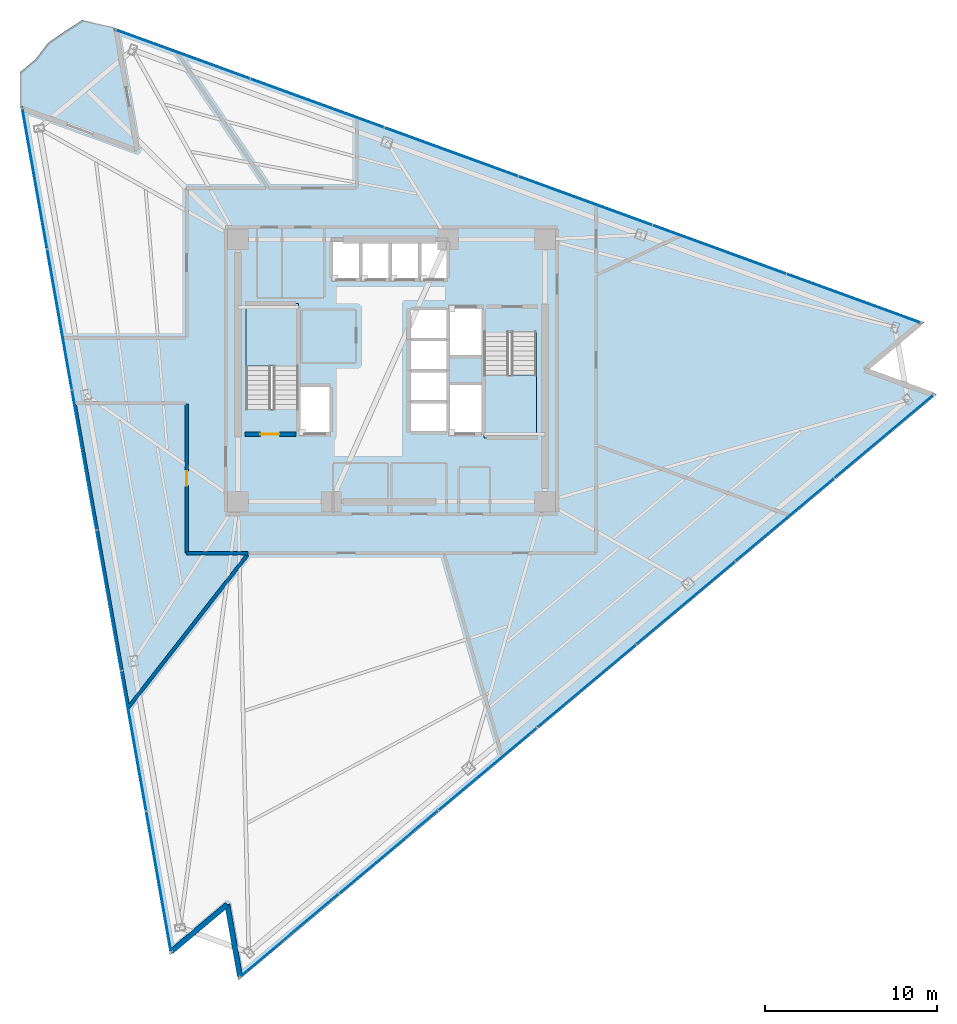
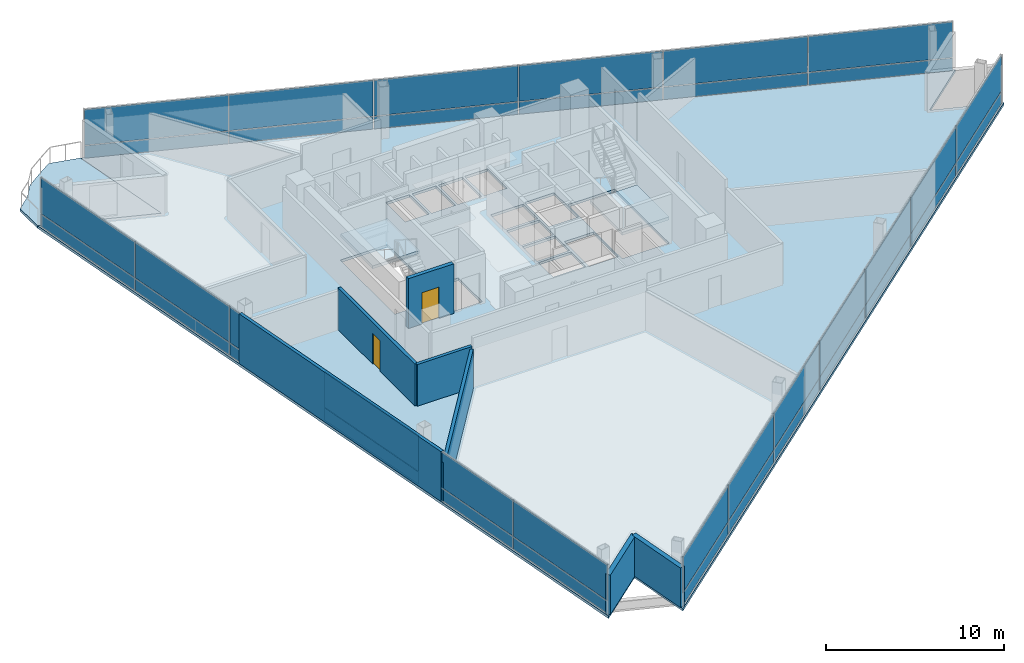
# One storey, part 9 of 16: 38 plates, 7 walls, 4 slabs, 2 doors, 2 openings, 5 elements without a shape of their own.
"""IFC4 building model written with IfcOpenShell, lengths in metres."""

from ifc_helpers import new_model, si_unit, direction, frame, frame_2d, origin, origin_2d, place, context, subcontext, project, spatial, polyline, rectangle, outline, extrude, material, layer, layer_set, type_object, element, fill, aggregate, save


model = new_model("IFC4")

# Units and contexts
model_context = context("Model", 3, precision=1e-05, world=origin(), true_north=direction((0.0, 1.0)))
body_context = subcontext(model_context, "Body", "Model", "MODEL_VIEW")
ifc_project = project(units=[si_unit("LENGTHUNIT", "METRE"), si_unit("AREAUNIT", "SQUARE_METRE"), si_unit("VOLUMEUNIT", "CUBIC_METRE"), si_unit("PLANEANGLEUNIT", "RADIAN"), si_unit("MASSUNIT", "GRAM", prefix="KILO")], contexts=[model_context])

# Site, building, storey
site_placement = place(None, origin())
site = spatial("IfcSite", under=ifc_project, at=site_placement, CompositionType="ELEMENT")
building_placement = place(site_placement, origin())
building = spatial("IfcBuilding", under=site, at=building_placement, Name="Tharavind Bronze Gate", CompositionType="ELEMENT")
storey_placement = place(building_placement, frame((0.0, 0.0, 188.5)))
storey = spatial("IfcBuildingStorey", under=building, at=storey_placement, Name="L48", CompositionType="ELEMENT", Elevation=188.5)

# Curtain wall, plates
ifc_material_1 = material(Name="Anodised Bronze Aluminium", Category="aluminium")
ifc_layer_1 = layer(ifc_material_1, 0.219970703125)
ifc_layer_set_1 = layer_set([ifc_layer_1], Name="Anodised Bronze Aluminium")
curtain_wall_type = type_object("IfcCurtainWallType", Name="UNITISED CURTAIN WALL MID OFFICE", PredefinedType="USERDEFINED", material=ifc_layer_set_1)
curtain_wall_1_placement = place(storey_placement, origin())
curtain_wall_1 = element("IfcCurtainWall", 1, at=curtain_wall_1_placement, inside=storey, type_object=curtain_wall_type, Name="L48 unitised curtain wall mid office CW-L48-S1", ObjectType="UNITISED CURTAIN WALL", PredefinedType="USERDEFINED")
ifc_material_2 = material(Name="Patinated Bronze Alloy Sheet", Category="bronze")
ifc_layer_2 = layer(ifc_material_2, 0.01611328125)
ifc_layer_set_2 = layer_set([ifc_layer_2], Name="Patinated Bronze Alloy Sheet")
plate_type_1 = type_object("IfcPlateType", Name="BRONZE SPANDREL CLADDING PANEL 16", PredefinedType="CURTAIN_PANEL", material=ifc_layer_set_2)
plate_1_placement = place(storey_placement, frame((-20.678466796875, 11.118408203125, 0.0263671875), z_axis=(0.0, 0.0, 1.0), x_axis=(0.173648177667, -0.984807753012, 0.0)))
plate_1 = element("IfcPlate", 2, at=plate_1_placement, type_object=plate_type_1, Name="CW-L48-S1 bronze spandrel panel 1", PredefinedType="CURTAIN_PANEL", context=body_context, shape_type="SweptSolid", body=[
    extrude(rectangle(XDim=8.220458984375, YDim=0.01611328125, at=origin_2d()), origin(), (0.0, 0.0, 1.0), 0.846923828125),
])
plate_2_placement = place(storey_placement, frame((-19.24169921875, 2.970703125, 0.0263671875), z_axis=(0.0, 0.0, 1.0), x_axis=(0.173648177667, -0.984807753012, 0.0)))
plate_2 = element("IfcPlate", 3, at=plate_2_placement, type_object=plate_type_1, Name="CW-L48-S1 bronze spandrel panel 2", PredefinedType="CURTAIN_PANEL", context=body_context, shape_type="SweptSolid", body=[
    extrude(rectangle(XDim=8.220458984375, YDim=0.01611328125, at=origin_2d()), origin(), (0.0, 0.0, 1.0), 0.846923828125),
])
plate_3_placement = place(storey_placement, frame((-17.80517578125, -5.177001953125, 0.0263671875), z_axis=(0.0, 0.0, 1.0), x_axis=(0.173648177667, -0.984807753012, 0.0)))
plate_3 = element("IfcPlate", 4, at=plate_3_placement, type_object=plate_type_1, Name="CW-L48-S1 bronze spandrel panel 3", PredefinedType="CURTAIN_PANEL", context=body_context, shape_type="SweptSolid", body=[
    extrude(rectangle(XDim=8.220458984375, YDim=0.01611328125, at=origin_2d()), origin(), (0.0, 0.0, 1.0), 0.846923828125),
])
plate_4_placement = place(storey_placement, frame((-16.368408203125, -13.32470703125, 0.0263671875), z_axis=(0.0, 0.0, 1.0), x_axis=(0.173648177667, -0.984807753012, 0.0)))
plate_4 = element("IfcPlate", 5, at=plate_4_placement, type_object=plate_type_1, Name="CW-L48-S1 bronze spandrel panel 4", PredefinedType="CURTAIN_PANEL", context=body_context, shape_type="SweptSolid", body=[
    extrude(rectangle(XDim=8.220458984375, YDim=0.01611328125, at=origin_2d()), origin(), (0.0, 0.0, 1.0), 0.846923828125),
])
plate_5_placement = place(storey_placement, frame((-14.931884765625, -21.472412109375, 0.0263671875), z_axis=(0.0, 0.0, 1.0), x_axis=(0.173648177667, -0.984807753012, 0.0)))
plate_5 = element("IfcPlate", 6, at=plate_5_placement, type_object=plate_type_1, Name="CW-L48-S1 bronze spandrel panel 5", PredefinedType="CURTAIN_PANEL", context=body_context, shape_type="SweptSolid", body=[
    extrude(rectangle(XDim=8.220458984375, YDim=0.01611328125, at=origin_2d()), origin(), (0.0, 0.0, 1.0), 0.846923828125),
])
plate_6_placement = place(storey_placement, frame((-13.4951171875, -29.6201171875, 0.0263671875), z_axis=(0.0, 0.0, 1.0), x_axis=(0.173648177667, -0.984807753012, 0.0)))
plate_6 = element("IfcPlate", 7, at=plate_6_placement, type_object=plate_type_1, Name="CW-L48-S1 bronze spandrel panel 6", PredefinedType="CURTAIN_PANEL", context=body_context, shape_type="SweptSolid", body=[
    extrude(rectangle(XDim=8.220458984375, YDim=0.01611328125, at=origin_2d()), origin(), (0.0, 0.0, 1.0), 0.846923828125),
])

curtain_wall_2_placement = place(storey_placement, origin())
curtain_wall_2 = element("IfcCurtainWall", 8, at=curtain_wall_2_placement, inside=storey, type_object=curtain_wall_type, Name="L48 unitised curtain wall mid office CW-L48-S2", ObjectType="UNITISED CURTAIN WALL", PredefinedType="USERDEFINED")
plate_7_placement = place(storey_placement, frame((-5.913818359375, -32.737548828125, 0.0263671875), z_axis=(0.0, 0.0, 1.0), x_axis=(0.766043321242, 0.642788946685, 0.0)))
plate_7 = element("IfcPlate", 9, at=plate_7_placement, type_object=plate_type_1, Name="CW-L48-S2 bronze spandrel panel 1", PredefinedType="CURTAIN_PANEL", context=body_context, shape_type="SweptSolid", body=[
    extrude(rectangle(XDim=7.443115234375, YDim=0.01611328125, at=origin_2d()), origin(), (0.0, 0.0, 1.0), 0.846923828125),
])
plate_8_placement = place(storey_placement, frame((-0.171630859375, -27.919189453125, 0.0263671875), z_axis=(0.0, 0.0, 1.0), x_axis=(0.766043321242, 0.642788946685, 0.0)))
plate_8 = element("IfcPlate", 10, at=plate_8_placement, type_object=plate_type_1, Name="CW-L48-S2 bronze spandrel panel 2", PredefinedType="CURTAIN_PANEL", context=body_context, shape_type="SweptSolid", body=[
    extrude(rectangle(XDim=7.443115234375, YDim=0.01611328125, at=origin_2d()), origin(), (0.0, 0.0, 1.0), 0.846923828125),
])
plate_9_placement = place(storey_placement, frame((5.57080078125, -23.100830078125, 0.0263671875), z_axis=(0.0, 0.0, 1.0), x_axis=(0.766043321242, 0.642788946685, 0.0)))
plate_9 = element("IfcPlate", 11, at=plate_9_placement, type_object=plate_type_1, Name="CW-L48-S2 bronze spandrel panel 3", PredefinedType="CURTAIN_PANEL", context=body_context, shape_type="SweptSolid", body=[
    extrude(rectangle(XDim=7.443115234375, YDim=0.01611328125, at=origin_2d()), origin(), (0.0, 0.0, 1.0), 0.846923828125),
])
plate_10_placement = place(storey_placement, frame((11.31298828125, -18.282470703125, 0.0263671875), z_axis=(0.0, 0.0, 1.0), x_axis=(0.766043321242, 0.642788946685, 0.0)))
plate_10 = element("IfcPlate", 12, at=plate_10_placement, type_object=plate_type_1, Name="CW-L48-S2 bronze spandrel panel 4", PredefinedType="CURTAIN_PANEL", context=body_context, shape_type="SweptSolid", body=[
    extrude(rectangle(XDim=7.443115234375, YDim=0.01611328125, at=origin_2d()), origin(), (0.0, 0.0, 1.0), 0.846923828125),
])
plate_11_placement = place(storey_placement, frame((17.055419921875, -13.464111328125, 0.0263671875), z_axis=(0.0, 0.0, 1.0), x_axis=(0.766043321242, 0.642788946685, 0.0)))
plate_11 = element("IfcPlate", 13, at=plate_11_placement, type_object=plate_type_1, Name="CW-L48-S2 bronze spandrel panel 5", PredefinedType="CURTAIN_PANEL", context=body_context, shape_type="SweptSolid", body=[
    extrude(rectangle(XDim=7.443115234375, YDim=0.01611328125, at=origin_2d()), origin(), (0.0, 0.0, 1.0), 0.846923828125),
])
plate_12_placement = place(storey_placement, frame((22.797607421875, -8.645751953125, 0.0263671875), z_axis=(0.0, 0.0, 1.0), x_axis=(0.766043321242, 0.642788946685, 0.0)))
plate_12 = element("IfcPlate", 14, at=plate_12_placement, type_object=plate_type_1, Name="CW-L48-S2 bronze spandrel panel 6", PredefinedType="CURTAIN_PANEL", context=body_context, shape_type="SweptSolid", body=[
    extrude(rectangle(XDim=7.443115234375, YDim=0.01611328125, at=origin_2d()), origin(), (0.0, 0.0, 1.0), 0.846923828125),
])
plate_13_placement = place(storey_placement, frame((28.539794921875, -3.827392578125, 0.0263671875), z_axis=(0.0, 0.0, 1.0), x_axis=(0.766043321242, 0.642788946685, 0.0)))
plate_13 = element("IfcPlate", 15, at=plate_13_placement, type_object=plate_type_1, Name="CW-L48-S2 bronze spandrel panel 7", PredefinedType="CURTAIN_PANEL", context=body_context, shape_type="SweptSolid", body=[
    extrude(rectangle(XDim=7.443115234375, YDim=0.01611328125, at=origin_2d()), origin(), (0.0, 0.0, 1.0), 0.846923828125),
])

curtain_wall_3_placement = place(storey_placement, origin())
curtain_wall_3 = element("IfcCurtainWall", 16, at=curtain_wall_3_placement, inside=storey, type_object=curtain_wall_type, Name="L48 unitised curtain wall mid office CW-L48-S3", ObjectType="UNITISED CURTAIN WALL", PredefinedType="USERDEFINED")
plate_14_placement = place(storey_placement, frame((26.7861328125, 4.18017578125, 0.0263671875), z_axis=(0.0, 0.0, 1.0), x_axis=(-0.939692023847, 0.342021783398, 0.0)))
plate_14 = element("IfcPlate", 17, at=plate_14_placement, type_object=plate_type_1, Name="CW-L48-S3 bronze spandrel panel 1", PredefinedType="CURTAIN_PANEL", context=body_context, shape_type="SweptSolid", body=[
    extrude(rectangle(XDim=8.220458984375, YDim=0.01611328125, at=origin_2d()), origin(), (0.0, 0.0, 1.0), 0.846923828125),
])
plate_15_placement = place(storey_placement, frame((19.01171875, 7.009765625, 0.0263671875), z_axis=(0.0, 0.0, 1.0), x_axis=(-0.939692023847, 0.342021783398, 0.0)))
plate_15 = element("IfcPlate", 18, at=plate_15_placement, type_object=plate_type_1, Name="CW-L48-S3 bronze spandrel panel 2", PredefinedType="CURTAIN_PANEL", context=body_context, shape_type="SweptSolid", body=[
    extrude(rectangle(XDim=8.220458984375, YDim=0.01611328125, at=origin_2d()), origin(), (0.0, 0.0, 1.0), 0.846923828125),
])
plate_16_placement = place(storey_placement, frame((11.2373046875, 9.839599609375, 0.0263671875), z_axis=(0.0, 0.0, 1.0), x_axis=(-0.939692023847, 0.342021783398, 0.0)))
plate_16 = element("IfcPlate", 19, at=plate_16_placement, type_object=plate_type_1, Name="CW-L48-S3 bronze spandrel panel 3", PredefinedType="CURTAIN_PANEL", context=body_context, shape_type="SweptSolid", body=[
    extrude(rectangle(XDim=8.220458984375, YDim=0.01611328125, at=origin_2d()), origin(), (0.0, 0.0, 1.0), 0.846923828125),
])
plate_17_placement = place(storey_placement, frame((3.462890625, 12.669189453125, 0.0263671875), z_axis=(0.0, 0.0, 1.0), x_axis=(-0.939692023847, 0.342021783398, 0.0)))
plate_17 = element("IfcPlate", 20, at=plate_17_placement, type_object=plate_type_1, Name="CW-L48-S3 bronze spandrel panel 4", PredefinedType="CURTAIN_PANEL", context=body_context, shape_type="SweptSolid", body=[
    extrude(rectangle(XDim=8.220458984375, YDim=0.01611328125, at=origin_2d()), origin(), (0.0, 0.0, 1.0), 0.846923828125),
])
plate_18_placement = place(storey_placement, frame((-4.3115234375, 15.498779296875, 0.0263671875), z_axis=(0.0, 0.0, 1.0), x_axis=(-0.939692023847, 0.342021783398, 0.0)))
plate_18 = element("IfcPlate", 21, at=plate_18_placement, type_object=plate_type_1, Name="CW-L48-S3 bronze spandrel panel 5", PredefinedType="CURTAIN_PANEL", context=body_context, shape_type="SweptSolid", body=[
    extrude(rectangle(XDim=8.220458984375, YDim=0.01611328125, at=origin_2d()), origin(), (0.0, 0.0, 1.0), 0.846923828125),
])
plate_19_placement = place(storey_placement, frame((-12.0859375, 18.32861328125, 0.0263671875), z_axis=(0.0, 0.0, 1.0), x_axis=(-0.939692023847, 0.342021783398, 0.0)))
plate_19 = element("IfcPlate", 22, at=plate_19_placement, type_object=plate_type_1, Name="CW-L48-S3 bronze spandrel panel 6", PredefinedType="CURTAIN_PANEL", context=body_context, shape_type="SweptSolid", body=[
    extrude(rectangle(XDim=8.220458984375, YDim=0.01611328125, at=origin_2d()), origin(), (0.0, 0.0, 1.0), 0.846923828125),
])

# Slab
ifc_material_3 = material(Name="Concrete C40/50", Category="concrete")
ifc_layer_3 = layer(ifc_material_3, 0.179931640625)
ifc_layer_set_3 = layer_set([ifc_layer_3], Name="Concrete C40/50")
slab_type_1 = type_object("IfcSlabType", Name="EXTERIOR BALCONY SLAB 180", PredefinedType="FLOOR", material=ifc_layer_set_3)
slab_1_placement = place(storey_placement, frame((0.0, 0.0, -0.179931640625)))
element("IfcSlab", 23, at=slab_1_placement, inside=storey, type_object=slab_type_1, Name="L48 northeast tree balcony slab", PredefinedType="FLOOR", context=body_context, shape_type="SweptSolid", body=[
    extrude(outline(polyline([(-17.92333984375, 20.325927734375), (-18.92236328125, 19.680908203125), (-19.8984375, 19.00830078125), (-20.635009765625, 18.050537109375), (-21.5390625, 17.2919921875), (-21.525390625, 15.345458984375), (-14.872314453125, 12.924072265625), (-16.101806640625, 19.896484375), (-17.92333984375, 20.325927734375)])), origin(), (0.0, 0.0, 1.0), 0.179931640625),
])

# Stair, slab
stair_type = type_object("IfcStairType", Name="CORE HALF TURN STAIR 1450", PredefinedType="HALF_TURN_STAIR", material=ifc_material_3)
stair_1_placement = place(storey_placement, origin())
stair_1 = element("IfcStair", 24, at=stair_1_placement, inside=storey, type_object=stair_type, Name="L48 Protected Exit Stair ST1", PredefinedType="HALF_TURN_STAIR")
ifc_layer_4 = layer(ifc_material_3, 0.199951171875)
ifc_layer_set_4 = layer_set([ifc_layer_4], Name="Concrete C40/50")
slab_type_2 = type_object("IfcSlabType", Name="STAIR LANDING SLAB 200", PredefinedType="LANDING", material=ifc_layer_set_4)
slab_2_placement = place(storey_placement, frame((0.0, 0.0, 1.60009765625)))
slab_2 = element("IfcSlab", 25, at=slab_2_placement, type_object=slab_type_2, Name="ST1 landing 1", PredefinedType="LANDING", context=body_context, shape_type="SweptSolid", body=[
    extrude(outline(polyline([(-5.39990234375, 0.27001953125), (-5.39990234375, 3.89990234375), (-8.449951171875, 3.89990234375), (-8.449951171875, 0.27001953125), (-5.39990234375, 0.27001953125)])), origin(), (0.0, 0.0, 1.0), 0.199951171875),
])
aggregate(stair_1, [slab_2])

stair_2_placement = place(storey_placement, origin())
stair_2 = element("IfcStair", 26, at=stair_2_placement, inside=storey, type_object=stair_type, Name="L48 Protected Exit Stair ST2", PredefinedType="HALF_TURN_STAIR")
slab_3_placement = place(storey_placement, frame((0.0, 0.0, 1.60009765625)))
slab_3 = element("IfcSlab", 27, at=slab_3_placement, type_object=slab_type_2, Name="ST2 landing 1", PredefinedType="LANDING", context=body_context, shape_type="SweptSolid", body=[
    extrude(outline(polyline([(5.35009765625, -0.27001953125), (5.35009765625, -3.89990234375), (8.39990234375, -3.89990234375), (8.39990234375, -0.27001953125), (5.35009765625, -0.27001953125)])), origin(), (0.0, 0.0, 1.0), 0.199951171875),
])
aggregate(stair_2, [slab_3])

# Slab
ifc_layer_5 = layer(ifc_material_3, 0.179931640625)
ifc_layer_set_5 = layer_set([ifc_layer_5], Name="Concrete C40/50")
slab_type_3 = type_object("IfcSlabType", Name="STRUCTURAL FLOOR SLAB 180", PredefinedType="FLOOR", material=ifc_layer_set_5)
slab_4_placement = place(storey_placement, frame((0.0, 0.0, -0.179931640625)))
element("IfcSlab", 28, at=slab_4_placement, inside=storey, type_object=slab_type_3, Name="L48 main structural floor slab", PredefinedType="FLOOR", context=body_context, shape_type="SweptSolid", body=[
    extrude(outline(polyline([(-16.101806640625, 19.896484375), (-14.872314453125, 12.924072265625), (-21.525390625, 15.345458984375), (-12.84521484375, -33.881591796875), (-9.591064453125, -31.151123046875), (-8.853515625, -35.334716796875), (31.60791015625, -1.38330078125), (27.6162109375, 0.069580078125), (30.870361328125, 2.800048828125), (-16.101806640625, 19.896484375)]), holes=[polyline([(-5.39990234375, -2.215087890625), (-5.39990234375, 3.89990234375), (-8.449951171875, 3.89990234375), (-8.449951171875, -2.215087890625), (-5.39990234375, -2.215087890625)]), polyline([(5.35009765625, 2.215087890625), (5.35009765625, -3.89990234375), (8.39990234375, -3.89990234375), (8.39990234375, 2.215087890625), (5.35009765625, 2.215087890625)]), polyline([(-3.419921875, 5.330078125), (-1.867431640625, 5.330078125), (-1.867431640625, 7.52001953125), (-3.419921875, 7.52001953125), (-3.419921875, 5.330078125)]), polyline([(-1.70751953125, 5.330078125), (-0.155029296875, 5.330078125), (-0.155029296875, 7.52001953125), (-1.70751953125, 7.52001953125), (-1.70751953125, 5.330078125)]), polyline([(0.0048828125, 5.330078125), (1.5576171875, 5.330078125), (1.5576171875, 7.52001953125), (0.0048828125, 7.52001953125), (0.0048828125, 5.330078125)]), polyline([(1.717529296875, 5.330078125), (3.199951171875, 5.330078125), (3.199951171875, 7.52001953125), (1.717529296875, 7.52001953125), (1.717529296875, 5.330078125)]), polyline([(1.080078125, -3.52001953125), (3.199951171875, -3.52001953125), (3.199951171875, -1.8798828125), (1.080078125, -1.8798828125), (1.080078125, -3.52001953125)]), polyline([(1.080078125, -1.719970703125), (3.199951171875, -1.719970703125), (3.199951171875, -0.080078125), (1.080078125, -0.080078125), (1.080078125, -1.719970703125)]), polyline([(1.080078125, 0.080078125), (3.199951171875, 0.080078125), (3.199951171875, 1.719970703125), (1.080078125, 1.719970703125), (1.080078125, 0.080078125)]), polyline([(1.080078125, 1.8798828125), (3.199951171875, 1.8798828125), (3.199951171875, 3.52001953125), (1.080078125, 3.52001953125), (1.080078125, 1.8798828125)]), polyline([(-5.320068359375, -3.6201171875), (-3.580078125, -3.6201171875), (-3.580078125, -0.929931640625), (-5.320068359375, -0.929931640625), (-5.320068359375, -3.6201171875)]), polyline([(3.360107421875, 0.8798828125), (5.27001953125, 0.8798828125), (5.27001953125, 3.6201171875), (3.360107421875, 3.6201171875), (3.360107421875, 0.8798828125)]), polyline([(3.360107421875, -3.6201171875), (5.27001953125, -3.6201171875), (5.27001953125, -0.830078125), (3.360107421875, -0.830078125), (3.360107421875, -3.6201171875)])]), origin(), (0.0, 0.0, 1.0), 0.179931640625),
])

# Plate
ifc_material_4 = material(Name="Triple Solar Control Glazing", Category="glass")
ifc_layer_6 = layer(ifc_material_4, 0.0439453125)
ifc_layer_set_6 = layer_set([ifc_layer_6], Name="Triple Solar Control Glazing")
plate_type_2 = type_object("IfcPlateType", Name="TRIPLE GLAZED FACADE PANEL 44", PredefinedType="CURTAIN_PANEL", material=ifc_layer_set_6)
plate_20_placement = place(storey_placement, frame((-20.678466796875, 11.118408203125, 0.92626953125), z_axis=(0.0, 0.0, 1.0), x_axis=(0.173648177667, -0.984807753012, 0.0)))
plate_20 = element("IfcPlate", 29, at=plate_20_placement, type_object=plate_type_2, Name="CW-L48-S1 vision glazing panel 1", PredefinedType="CURTAIN_PANEL", context=body_context, shape_type="SweptSolid", body=[
    extrude(rectangle(XDim=8.220458984375, YDim=0.0439453125, at=origin_2d()), origin(), (0.0, 0.0, 1.0), 2.467041015625),
])

plate_21_placement = place(storey_placement, frame((-19.24169921875, 2.970703125, 0.92626953125), z_axis=(0.0, 0.0, 1.0), x_axis=(0.173648177667, -0.984807753012, 0.0)))
plate_21 = element("IfcPlate", 30, at=plate_21_placement, type_object=plate_type_2, Name="CW-L48-S1 vision glazing panel 2", PredefinedType="CURTAIN_PANEL", context=body_context, shape_type="SweptSolid", body=[
    extrude(rectangle(XDim=8.220458984375, YDim=0.0439453125, at=origin_2d()), origin(), (0.0, 0.0, 1.0), 2.467041015625),
])

plate_22_placement = place(storey_placement, frame((-17.80517578125, -5.177001953125, 0.92626953125), z_axis=(0.0, 0.0, 1.0), x_axis=(0.173648177667, -0.984807753012, 0.0)))
plate_22 = element("IfcPlate", 31, at=plate_22_placement, type_object=plate_type_2, Name="CW-L48-S1 vision glazing panel 3", PredefinedType="CURTAIN_PANEL", context=body_context, shape_type="SweptSolid", body=[
    extrude(rectangle(XDim=8.220458984375, YDim=0.0439453125, at=origin_2d()), origin(), (0.0, 0.0, 1.0), 2.467041015625),
])

plate_23_placement = place(storey_placement, frame((-16.368408203125, -13.32470703125, 0.92626953125), z_axis=(0.0, 0.0, 1.0), x_axis=(0.173648177667, -0.984807753012, 0.0)))
plate_23 = element("IfcPlate", 32, at=plate_23_placement, type_object=plate_type_2, Name="CW-L48-S1 vision glazing panel 4", PredefinedType="CURTAIN_PANEL", context=body_context, shape_type="SweptSolid", body=[
    extrude(rectangle(XDim=8.220458984375, YDim=0.0439453125, at=origin_2d()), origin(), (0.0, 0.0, 1.0), 2.467041015625),
])

plate_24_placement = place(storey_placement, frame((-14.931884765625, -21.472412109375, 0.92626953125), z_axis=(0.0, 0.0, 1.0), x_axis=(0.173648177667, -0.984807753012, 0.0)))
plate_24 = element("IfcPlate", 33, at=plate_24_placement, type_object=plate_type_2, Name="CW-L48-S1 vision glazing panel 5", PredefinedType="CURTAIN_PANEL", context=body_context, shape_type="SweptSolid", body=[
    extrude(rectangle(XDim=8.220458984375, YDim=0.0439453125, at=origin_2d()), origin(), (0.0, 0.0, 1.0), 2.467041015625),
])

plate_25_placement = place(storey_placement, frame((-13.4951171875, -29.6201171875, 0.92626953125), z_axis=(0.0, 0.0, 1.0), x_axis=(0.173648177667, -0.984807753012, 0.0)))
plate_25 = element("IfcPlate", 34, at=plate_25_placement, type_object=plate_type_2, Name="CW-L48-S1 vision glazing panel 6", PredefinedType="CURTAIN_PANEL", context=body_context, shape_type="SweptSolid", body=[
    extrude(rectangle(XDim=8.220458984375, YDim=0.0439453125, at=origin_2d()), origin(), (0.0, 0.0, 1.0), 2.467041015625),
])

aggregate(curtain_wall_1, [plate_1, plate_20, plate_2, plate_21, plate_3, plate_22, plate_4, plate_23, plate_5, plate_24, plate_6, plate_25])

plate_26_placement = place(storey_placement, frame((-5.913818359375, -32.737548828125, 0.92626953125), z_axis=(0.0, 0.0, 1.0), x_axis=(0.766043321242, 0.642788946685, 0.0)))
plate_26 = element("IfcPlate", 35, at=plate_26_placement, type_object=plate_type_2, Name="CW-L48-S2 vision glazing panel 1", PredefinedType="CURTAIN_PANEL", context=body_context, shape_type="SweptSolid", body=[
    extrude(rectangle(XDim=7.443115234375, YDim=0.0439453125, at=origin_2d()), origin(), (0.0, 0.0, 1.0), 2.467041015625),
])

plate_27_placement = place(storey_placement, frame((-0.171630859375, -27.919189453125, 0.92626953125), z_axis=(0.0, 0.0, 1.0), x_axis=(0.766043321242, 0.642788946685, 0.0)))
plate_27 = element("IfcPlate", 36, at=plate_27_placement, type_object=plate_type_2, Name="CW-L48-S2 vision glazing panel 2", PredefinedType="CURTAIN_PANEL", context=body_context, shape_type="SweptSolid", body=[
    extrude(rectangle(XDim=7.443115234375, YDim=0.0439453125, at=origin_2d()), origin(), (0.0, 0.0, 1.0), 2.467041015625),
])

plate_28_placement = place(storey_placement, frame((5.57080078125, -23.100830078125, 0.92626953125), z_axis=(0.0, 0.0, 1.0), x_axis=(0.766043321242, 0.642788946685, 0.0)))
plate_28 = element("IfcPlate", 37, at=plate_28_placement, type_object=plate_type_2, Name="CW-L48-S2 vision glazing panel 3", PredefinedType="CURTAIN_PANEL", context=body_context, shape_type="SweptSolid", body=[
    extrude(rectangle(XDim=7.443115234375, YDim=0.0439453125, at=origin_2d()), origin(), (0.0, 0.0, 1.0), 2.467041015625),
])

plate_29_placement = place(storey_placement, frame((11.31298828125, -18.282470703125, 0.92626953125), z_axis=(0.0, 0.0, 1.0), x_axis=(0.766043321242, 0.642788946685, 0.0)))
plate_29 = element("IfcPlate", 38, at=plate_29_placement, type_object=plate_type_2, Name="CW-L48-S2 vision glazing panel 4", PredefinedType="CURTAIN_PANEL", context=body_context, shape_type="SweptSolid", body=[
    extrude(rectangle(XDim=7.443115234375, YDim=0.0439453125, at=origin_2d()), origin(), (0.0, 0.0, 1.0), 2.467041015625),
])

plate_30_placement = place(storey_placement, frame((17.055419921875, -13.464111328125, 0.92626953125), z_axis=(0.0, 0.0, 1.0), x_axis=(0.766043321242, 0.642788946685, 0.0)))
plate_30 = element("IfcPlate", 39, at=plate_30_placement, type_object=plate_type_2, Name="CW-L48-S2 vision glazing panel 5", PredefinedType="CURTAIN_PANEL", context=body_context, shape_type="SweptSolid", body=[
    extrude(rectangle(XDim=7.443115234375, YDim=0.0439453125, at=origin_2d()), origin(), (0.0, 0.0, 1.0), 2.467041015625),
])

plate_31_placement = place(storey_placement, frame((22.797607421875, -8.645751953125, 0.92626953125), z_axis=(0.0, 0.0, 1.0), x_axis=(0.766043321242, 0.642788946685, 0.0)))
plate_31 = element("IfcPlate", 40, at=plate_31_placement, type_object=plate_type_2, Name="CW-L48-S2 vision glazing panel 6", PredefinedType="CURTAIN_PANEL", context=body_context, shape_type="SweptSolid", body=[
    extrude(rectangle(XDim=7.443115234375, YDim=0.0439453125, at=origin_2d()), origin(), (0.0, 0.0, 1.0), 2.467041015625),
])

plate_32_placement = place(storey_placement, frame((28.539794921875, -3.827392578125, 0.92626953125), z_axis=(0.0, 0.0, 1.0), x_axis=(0.766043321242, 0.642788946685, 0.0)))
plate_32 = element("IfcPlate", 41, at=plate_32_placement, type_object=plate_type_2, Name="CW-L48-S2 vision glazing panel 7", PredefinedType="CURTAIN_PANEL", context=body_context, shape_type="SweptSolid", body=[
    extrude(rectangle(XDim=7.443115234375, YDim=0.0439453125, at=origin_2d()), origin(), (0.0, 0.0, 1.0), 2.467041015625),
])

aggregate(curtain_wall_2, [plate_7, plate_26, plate_8, plate_27, plate_9, plate_28, plate_10, plate_29, plate_11, plate_30, plate_12, plate_31, plate_13, plate_32])

plate_33_placement = place(storey_placement, frame((26.7861328125, 4.18017578125, 0.92626953125), z_axis=(0.0, 0.0, 1.0), x_axis=(-0.939692023847, 0.342021783398, 0.0)))
plate_33 = element("IfcPlate", 42, at=plate_33_placement, type_object=plate_type_2, Name="CW-L48-S3 vision glazing panel 1", PredefinedType="CURTAIN_PANEL", context=body_context, shape_type="SweptSolid", body=[
    extrude(rectangle(XDim=8.220458984375, YDim=0.0439453125, at=origin_2d()), origin(), (0.0, 0.0, 1.0), 2.467041015625),
])

plate_34_placement = place(storey_placement, frame((19.01171875, 7.009765625, 0.92626953125), z_axis=(0.0, 0.0, 1.0), x_axis=(-0.939692023847, 0.342021783398, 0.0)))
plate_34 = element("IfcPlate", 43, at=plate_34_placement, type_object=plate_type_2, Name="CW-L48-S3 vision glazing panel 2", PredefinedType="CURTAIN_PANEL", context=body_context, shape_type="SweptSolid", body=[
    extrude(rectangle(XDim=8.220458984375, YDim=0.0439453125, at=origin_2d()), origin(), (0.0, 0.0, 1.0), 2.467041015625),
])

plate_35_placement = place(storey_placement, frame((11.2373046875, 9.839599609375, 0.92626953125), z_axis=(0.0, 0.0, 1.0), x_axis=(-0.939692023847, 0.342021783398, 0.0)))
plate_35 = element("IfcPlate", 44, at=plate_35_placement, type_object=plate_type_2, Name="CW-L48-S3 vision glazing panel 3", PredefinedType="CURTAIN_PANEL", context=body_context, shape_type="SweptSolid", body=[
    extrude(rectangle(XDim=8.220458984375, YDim=0.0439453125, at=origin_2d()), origin(), (0.0, 0.0, 1.0), 2.467041015625),
])

plate_36_placement = place(storey_placement, frame((3.462890625, 12.669189453125, 0.92626953125), z_axis=(0.0, 0.0, 1.0), x_axis=(-0.939692023847, 0.342021783398, 0.0)))
plate_36 = element("IfcPlate", 45, at=plate_36_placement, type_object=plate_type_2, Name="CW-L48-S3 vision glazing panel 4", PredefinedType="CURTAIN_PANEL", context=body_context, shape_type="SweptSolid", body=[
    extrude(rectangle(XDim=8.220458984375, YDim=0.0439453125, at=origin_2d()), origin(), (0.0, 0.0, 1.0), 2.467041015625),
])

plate_37_placement = place(storey_placement, frame((-4.3115234375, 15.498779296875, 0.92626953125), z_axis=(0.0, 0.0, 1.0), x_axis=(-0.939692023847, 0.342021783398, 0.0)))
plate_37 = element("IfcPlate", 46, at=plate_37_placement, type_object=plate_type_2, Name="CW-L48-S3 vision glazing panel 5", PredefinedType="CURTAIN_PANEL", context=body_context, shape_type="SweptSolid", body=[
    extrude(rectangle(XDim=8.220458984375, YDim=0.0439453125, at=origin_2d()), origin(), (0.0, 0.0, 1.0), 2.467041015625),
])

plate_38_placement = place(storey_placement, frame((-12.0859375, 18.32861328125, 0.92626953125), z_axis=(0.0, 0.0, 1.0), x_axis=(-0.939692023847, 0.342021783398, 0.0)))
plate_38 = element("IfcPlate", 47, at=plate_38_placement, type_object=plate_type_2, Name="CW-L48-S3 vision glazing panel 6", PredefinedType="CURTAIN_PANEL", context=body_context, shape_type="SweptSolid", body=[
    extrude(rectangle(XDim=8.220458984375, YDim=0.0439453125, at=origin_2d()), origin(), (0.0, 0.0, 1.0), 2.467041015625),
])

aggregate(curtain_wall_3, [plate_14, plate_33, plate_15, plate_34, plate_16, plate_35, plate_17, plate_36, plate_18, plate_37, plate_19, plate_38])

# Walls
ifc_layer_7 = layer(ifc_material_3, 0.300048828125)
ifc_layer_set_7 = layer_set([ifc_layer_7], Name="Concrete C40/50")
wall_type_1 = type_object("IfcWallType", Name="EXTERIOR SPANDREL WALL 300", PredefinedType="STANDARD", material=ifc_layer_set_7)
for number, where, z_axis, x_axis, name in (
    (48, (-12.77685546875, -33.69384765625, 0.0), (0.0, 0.0, 1.0), (0.766026302848, 0.6428092278, 0.0), "L48 notch cheek wall 2A"),
    (49, (-9.522705078125, -30.963134765625, 0.0), (0.0, 0.0, 1.0), (0.173673864443, -0.984803223395, 0.0), "L48 notch cheek wall 2B"),
):
    element("IfcWall", number, at=place(storey_placement, frame(where, z_axis=z_axis, x_axis=x_axis)), inside=storey, type_object=wall_type_1, Name=name, PredefinedType="STANDARD", context=body_context, shape_type="SweptSolid", body=[
        extrude(rectangle(XDim=4.248046875, YDim=0.300048828125, at=frame_2d((2.1240234375, 0.0))), origin(), (0.0, 0.0, 1.0), 2.715087890625),
    ])

# Wall, opening, door
ifc_material_5 = material(Name="Aerated Concrete Block", Category="concrete")
ifc_layer_8 = layer(ifc_material_5, 0.199951171875)
ifc_layer_set_8 = layer_set([ifc_layer_8], Name="Aerated Concrete Block")
wall_type_2 = type_object("IfcWallType", Name="FIRE RATED PARTITION 200", PredefinedType="PARTITIONING", material=ifc_layer_set_8)
wall_1_placement = place(storey_placement, frame((-11.8798828125, -1.925048828125, 0.0), z_axis=(0.0, 0.0, 1.0), x_axis=(0.0, -1.0, 0.0)))
wall_1 = element("IfcWall", 50, at=wall_1_placement, inside=storey, type_object=wall_type_2, Name="L48 Public Restrooms Block partition", PredefinedType="PARTITIONING", context=body_context, shape_type="SweptSolid", body=[
    extrude(rectangle(XDim=8.654296875, YDim=0.199951171875, at=frame_2d((4.3271484375, 0.0))), origin(), (0.0, 0.0, 1.0), 2.864990234375),
])
opening_1_placement = place(wall_1_placement, frame((3.902099609375, 0.0, 0.0)))
opening_1 = element("IfcOpeningElement", 51, at=opening_1_placement, cuts=wall_1, Name="Opening ID06", PredefinedType="OPENING", context=body_context, shape_type="SweptSolid", body=[
    extrude(rectangle(XDim=0.85009765625, YDim=2.10009765625, at=frame_2d((0.425048828125, 1.050048828125))), frame((0.0, 0.11009765625, 0.0), z_axis=(0.0, -1.0, 0.0), x_axis=(1.0, 0.0, 0.0)), (0.0, 0.0, 1.0), 0.219951171875),
])
ifc_material_6 = material(Name="Moisture-Resistant Timber", Category="wood")
door_type_1 = type_object("IfcDoorType", Name="BATHROOM PRIVACY DOOR 850X2100", OperationType="SINGLE_SWING_RIGHT", PredefinedType="DOOR", material=ifc_material_6)
door_1_placement = place(opening_1_placement, origin())
door_1 = element("IfcDoor", 52, at=door_1_placement, inside=storey, type_object=door_type_1, Name="L48 Public Restrooms Block door", OperationType="SINGLE_SWING_RIGHT", OverallHeight=2.10009765625, OverallWidth=0.85009765625, PredefinedType="DOOR", context=body_context, shape_type="SweptSolid", body=[
    extrude(rectangle(XDim=0.85009765625, YDim=2.10009765625, at=frame_2d((0.425048828125, 1.050048828125))), frame((0.0, 0.02490234375, 0.0), z_axis=(0.0, -1.0, 0.0), x_axis=(1.0, 0.0, 0.0)), (0.0, 0.0, 1.0), 0.050048828125),
])
fill(opening_1, door_1)

# Walls
wall_2_placement = place(storey_placement, frame((-11.87939453125, -10.580078125, 0.0), z_axis=(0.0, 0.0, 1.0), x_axis=(1.0, 0.0, 0.0)))
element("IfcWall", 53, at=wall_2_placement, inside=storey, type_object=wall_type_2, Name="L48 Public Restrooms Block partition", PredefinedType="PARTITIONING", context=body_context, shape_type="SweptSolid", body=[
    extrude(rectangle(XDim=3.56201171875, YDim=0.199951171875, at=frame_2d((1.781005859375, 0.0))), origin(), (0.0, 0.0, 1.0), 2.864990234375),
])
wall_3_placement = place(storey_placement, frame((-8.34814453125, -10.68505859375, 0.0), z_axis=(0.0, 0.0, 1.0), x_axis=(-0.615667634963, -0.788005941132, 0.0)))
element("IfcWall", 54, at=wall_3_placement, inside=storey, type_object=wall_type_2, Name="L48 Public Restrooms Block partition", PredefinedType="PARTITIONING", context=body_context, shape_type="SweptSolid", body=[
    extrude(rectangle(XDim=11.245361328125, YDim=0.199951171875, at=frame_2d((5.62255859375, 0.0))), origin(), (0.0, 0.0, 1.0), 2.715087890625),
])
wall_4_placement = place(storey_placement, frame((-15.2958984375, -19.4072265625, 0.0), z_axis=(0.0, 0.0, 1.0), x_axis=(-0.17365370915, 0.984806777646, 0.0)))
element("IfcWall", 55, at=wall_4_placement, inside=storey, type_object=wall_type_2, Name="L48 Public Restrooms Block partition", PredefinedType="PARTITIONING", context=body_context, shape_type="SweptSolid", body=[
    extrude(rectangle(XDim=17.6708984375, YDim=0.199951171875, at=frame_2d((8.83544921875, 0.0))), origin(), (0.0, 0.0, 1.0), 3.419921875),
])

# Wall, opening, door
ifc_material_7 = material(Name="Concrete C50/60", Category="concrete")
ifc_layer_9 = layer(ifc_material_7, 0.25)
ifc_layer_set_9 = layer_set([ifc_layer_9], Name="Concrete C50/60")
wall_type_3 = type_object("IfcWallType", Name="RC CORE SHEAR WALL 250", PredefinedType="SHEAR", material=ifc_layer_set_9)
wall_5_placement = place(storey_placement, frame((-8.5, -3.699951171875, 0.0), z_axis=(0.0, 0.0, 1.0), x_axis=(1.0, 0.0, 0.0)))
wall_5 = element("IfcWall", 56, at=wall_5_placement, inside=storey, type_object=wall_type_3, Name="L48 ST1 shaft south wall", PredefinedType="SHEAR", context=body_context, shape_type="SweptSolid", body=[
    extrude(rectangle(XDim=2.949951171875, YDim=0.25, at=frame_2d((1.47509765625, 0.0))), origin(), (0.0, 0.0, 1.0), 3.419921875),
])
opening_2_placement = place(wall_5_placement, frame((0.89990234375, 0.0, 0.0)))
opening_2 = element("IfcOpeningElement", 57, at=opening_2_placement, cuts=wall_5, Name="Opening ID01", PredefinedType="OPENING", context=body_context, shape_type="SweptSolid", body=[
    extrude(rectangle(XDim=1.10009765625, YDim=2.14990234375, at=frame_2d((0.550048828125, 1.074951171875))), frame((0.0, 0.135, 0.0), z_axis=(0.0, -1.0, 0.0), x_axis=(1.0, 0.0, 0.0)), (0.0, 0.0, 1.0), 0.27),
])
ifc_material_8 = material(Name="Fire-Rated Steel", Category="steel")
door_type_2 = type_object("IfcDoorType", Name="STAIR CORE FIRE DOOR 1100X2150", OperationType="SINGLE_SWING_LEFT", PredefinedType="DOOR", material=ifc_material_8)
door_2_placement = place(opening_2_placement, origin())
door_2 = element("IfcDoor", 58, at=door_2_placement, inside=storey, type_object=door_type_2, Name="L48 exit stair ST1 fire door", OperationType="SINGLE_SWING_LEFT", OverallHeight=2.14990234375, OverallWidth=1.10009765625, PredefinedType="DOOR", context=body_context, shape_type="SweptSolid", body=[
    extrude(rectangle(XDim=1.10009765625, YDim=2.14990234375, at=frame_2d((0.550048828125, 1.074951171875))), frame((0.0, 0.02490234375, 0.0), z_axis=(0.0, -1.0, 0.0), x_axis=(1.0, 0.0, 0.0)), (0.0, 0.0, 1.0), 0.050048828125),
])
fill(opening_2, door_2)

save(model, "model.ifc")
